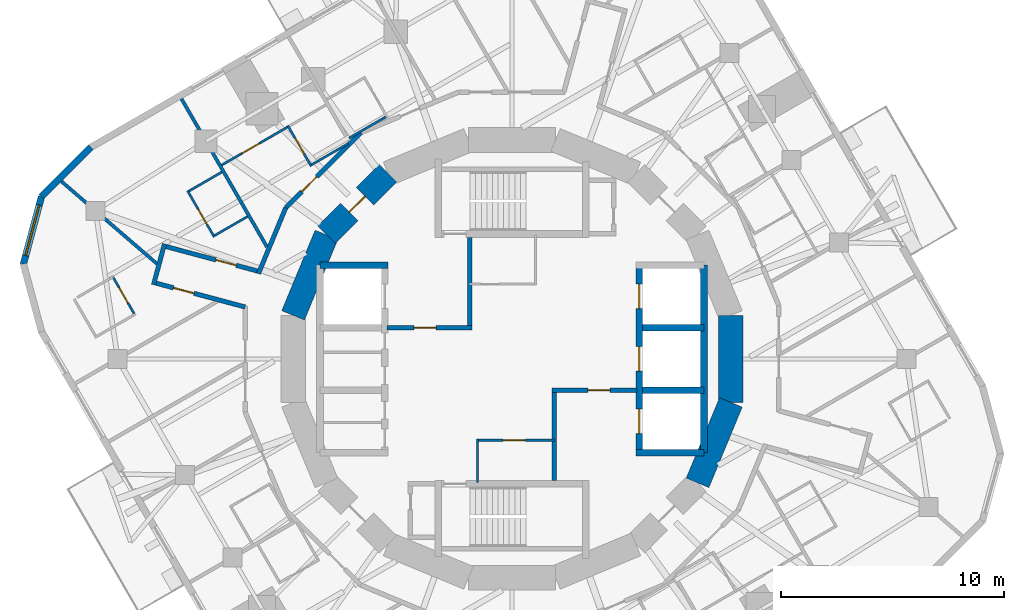
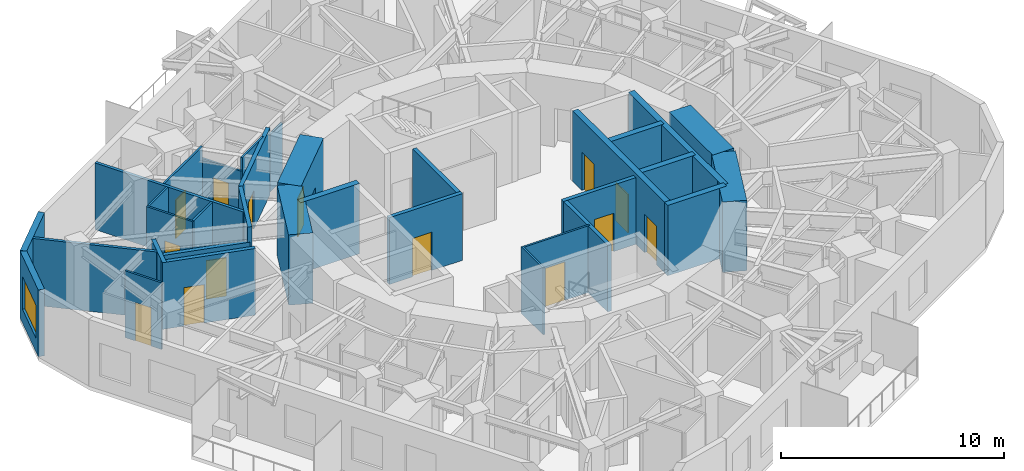
# One storey, part 6 of 11: 33 walls, 14 doors, 1 window, 15 openings.
"""IFC4 building model written with IfcOpenShell, lengths in metres."""

from ifc_helpers import new_model, si_unit, direction, frame, frame_2d, origin, place, context, subcontext, project, spatial, rectangle, extrude, material, layer, layer_set, type_object, element, fill, save


model = new_model("IFC4")

# Units and contexts
model_context = context("Model", 3, precision=1e-05, world=origin(), true_north=direction((0.0, 1.0)))
body_context = subcontext(model_context, "Body", "Model", "MODEL_VIEW")
ifc_project = project(units=[si_unit("LENGTHUNIT", "METRE"), si_unit("AREAUNIT", "SQUARE_METRE"), si_unit("VOLUMEUNIT", "CUBIC_METRE"), si_unit("PLANEANGLEUNIT", "RADIAN"), si_unit("MASSUNIT", "GRAM", prefix="KILO")], contexts=[model_context])

# Site, building, storey
site_placement = place(None, origin())
site = spatial("IfcSite", under=ifc_project, at=site_placement, CompositionType="ELEMENT")
building_placement = place(site_placement, origin())
building = spatial("IfcBuilding", under=site, at=building_placement, Name="Nakasero Lantern House", CompositionType="ELEMENT")
storey_placement = place(building_placement, frame((0.0, 0.0, 234.64990234375)))
storey = spatial("IfcBuildingStorey", under=building, at=storey_placement, Name="L57", CompositionType="ELEMENT", Elevation=234.64990234375)

# Wall, openings, doors
ifc_material_1 = material(Name="Concrete C50/60", Category="concrete")
ifc_layer_1 = layer(ifc_material_1, 0.300048828125)
ifc_layer_set_1 = layer_set([ifc_layer_1], Name="Core inner wall 300")
wall_type_1 = type_object("IfcWallType", Name="Core inner wall 300", PredefinedType="SHEAR", material=ifc_layer_set_1)
wall_1_placement = place(storey_placement, frame((5.699951171875, -4.199951171875, 0.0), z_axis=(0.0, 0.0, 1.0), x_axis=(0.0, 1.0, 0.0)))
wall_1 = element("IfcWall", 1, at=wall_1_placement, inside=storey, type_object=wall_type_1, Name="Core inner wall L57 LE", PredefinedType="SHEAR", context=body_context, shape_type="SweptSolid", body=[
    extrude(rectangle(XDim=8.39990234375, YDim=0.300048828125, at=frame_2d((4.199951171875, 0.0))), origin(), (0.0, 0.0, 1.0), 3.85009765625),
])
opening_1_placement = place(wall_1_placement, frame((0.85009765625, 0.0, 0.0)))
opening_1 = element("IfcOpeningElement", 2, at=opening_1_placement, cuts=wall_1, Name="Opening LD", PredefinedType="OPENING", context=body_context, shape_type="SweptSolid", body=[
    extrude(rectangle(XDim=1.10009765625, YDim=2.10009765625, at=frame_2d((0.550048828125, 1.050048828125))), frame((0.0, 0.169921875, 0.0), z_axis=(0.0, -1.0, 0.0), x_axis=(1.0, 0.0, 0.0)), (0.0, 0.0, 1.0), 0.340087890625),
])
opening_2_placement = place(wall_1_placement, frame((3.64990234375, 0.0, 0.0)))
opening_2 = element("IfcOpeningElement", 3, at=opening_2_placement, cuts=wall_1, Name="Opening LD", PredefinedType="OPENING", context=body_context, shape_type="SweptSolid", body=[
    extrude(rectangle(XDim=1.10009765625, YDim=2.10009765625, at=frame_2d((0.550048828125, 1.050048828125))), frame((0.0, 0.169921875, 0.0), z_axis=(0.0, -1.0, 0.0), x_axis=(1.0, 0.0, 0.0)), (0.0, 0.0, 1.0), 0.340087890625),
])
opening_3_placement = place(wall_1_placement, frame((6.449951171875, 0.0, 0.0)))
opening_3 = element("IfcOpeningElement", 4, at=opening_3_placement, cuts=wall_1, Name="Opening LD", PredefinedType="OPENING", context=body_context, shape_type="SweptSolid", body=[
    extrude(rectangle(XDim=1.10009765625, YDim=2.10009765625, at=frame_2d((0.550048828125, 1.050048828125))), frame((0.0, 0.169921875, 0.0), z_axis=(0.0, -1.0, 0.0), x_axis=(1.0, 0.0, 0.0)), (0.0, 0.0, 1.0), 0.340087890625),
])
ifc_material_2 = material(Name="Steel S355", Category="steel")
door_type_1 = type_object("IfcDoorType", Name="Lift landing door E120 1100", OperationType="SLIDING_TO_LEFT", PredefinedType="DOOR", material=ifc_material_2)
door_1_placement = place(opening_1_placement, origin())
door_1 = element("IfcDoor", 5, at=door_1_placement, inside=storey, type_object=door_type_1, Name="Lift landing door LE1", OperationType="SLIDING_TO_LEFT", OverallHeight=2.10009765625, OverallWidth=1.10009765625, PredefinedType="DOOR", context=body_context, shape_type="SweptSolid", body=[
    extrude(rectangle(XDim=1.10009765625, YDim=2.10009765625, at=frame_2d((0.550048828125, 1.050048828125))), frame((0.0, 0.02490234375, 0.0), z_axis=(0.0, -1.0, 0.0), x_axis=(1.0, 0.0, 0.0)), (0.0, 0.0, 1.0), 0.050048828125),
])
fill(opening_1, door_1)
door_2_placement = place(opening_2_placement, origin())
door_2 = element("IfcDoor", 6, at=door_2_placement, inside=storey, type_object=door_type_1, Name="Lift landing door LE2", OperationType="SLIDING_TO_LEFT", OverallHeight=2.10009765625, OverallWidth=1.10009765625, PredefinedType="DOOR", context=body_context, shape_type="SweptSolid", body=[
    extrude(rectangle(XDim=1.10009765625, YDim=2.10009765625, at=frame_2d((0.550048828125, 1.050048828125))), frame((0.0, 0.02490234375, 0.0), z_axis=(0.0, -1.0, 0.0), x_axis=(1.0, 0.0, 0.0)), (0.0, 0.0, 1.0), 0.050048828125),
])
fill(opening_2, door_2)
door_3_placement = place(opening_3_placement, origin())
door_3 = element("IfcDoor", 7, at=door_3_placement, inside=storey, type_object=door_type_1, Name="Lift landing door LE3", OperationType="SLIDING_TO_LEFT", OverallHeight=2.10009765625, OverallWidth=1.10009765625, PredefinedType="DOOR", context=body_context, shape_type="SweptSolid", body=[
    extrude(rectangle(XDim=1.10009765625, YDim=2.10009765625, at=frame_2d((0.550048828125, 1.050048828125))), frame((0.0, 0.02490234375, 0.0), z_axis=(0.0, -1.0, 0.0), x_axis=(1.0, 0.0, 0.0)), (0.0, 0.0, 1.0), 0.050048828125),
])
fill(opening_3, door_3)

# Walls
for number, where, z_axis, x_axis, name in (
    (8, (-8.60009765625, 4.199951171875, 0.0), (0.0, 0.0, 1.0), (1.0, 0.0, 0.0), "Core inner wall L57 LWN"),
    (9, (5.550048828125, -4.199951171875, 0.0), (0.0, 0.0, 1.0), (1.0, 0.0, 0.0), "Core inner wall L57 LES"),
):
    element("IfcWall", number, at=place(storey_placement, frame(where, z_axis=z_axis, x_axis=x_axis)), inside=storey, type_object=wall_type_1, Name=name, PredefinedType="SHEAR", context=body_context, shape_type="SweptSolid", body=[
        extrude(rectangle(XDim=3.050048828125, YDim=0.300048828125, at=frame_2d((1.52490234375, 0.0))), origin(), (0.0, 0.0, 1.0), 3.85009765625),
    ])
wall_2_placement = place(storey_placement, frame((8.60009765625, -4.199951171875, 0.0), z_axis=(0.0, 0.0, 1.0), x_axis=(0.0, 1.0, 0.0)))
element("IfcWall", 10, at=wall_2_placement, inside=storey, type_object=wall_type_1, Name="Core inner wall L57 LEB", PredefinedType="SHEAR", context=body_context, shape_type="SweptSolid", body=[
    extrude(rectangle(XDim=8.39990234375, YDim=0.300048828125, at=frame_2d((4.199951171875, 0.0))), origin(), (0.0, 0.0, 1.0), 3.85009765625),
])
for number, where, z_axis, x_axis, name in (
    (11, (5.85009765625, -1.39990234375, 0.0), (0.0, 0.0, 1.0), (1.0, 0.0, 0.0), "Core inner wall L57 LE1"),
    (12, (5.85009765625, 1.39990234375, 0.0), (0.0, 0.0, 1.0), (1.0, 0.0, 0.0), "Core inner wall L57 LE2"),
):
    element("IfcWall", number, at=place(storey_placement, frame(where, z_axis=z_axis, x_axis=x_axis)), inside=storey, type_object=wall_type_1, Name=name, PredefinedType="SHEAR", context=body_context, shape_type="SweptSolid", body=[
        extrude(rectangle(XDim=2.75, YDim=0.300048828125, at=frame_2d((1.375, 0.0))), origin(), (0.0, 0.0, 1.0), 3.85009765625),
    ])

# Wall, opening, door
ifc_material_3 = material(Name="Blockwork", Category="masonry")
ifc_layer_2 = layer(ifc_material_3, 0.10009765625)
ifc_layer_set_2 = layer_set([ifc_layer_2], Name="Core room wall 100")
wall_type_2 = type_object("IfcWallType", Name="Core room wall 100", PredefinedType="PARTITIONING", material=ifc_layer_set_2)
wall_3_placement = place(storey_placement, frame((-1.60009765625, -3.64990234375, 0.0), z_axis=(0.0, 0.0, 1.0), x_axis=(1.0, 0.0, 0.0)))
wall_3 = element("IfcWall", 13, at=wall_3_placement, inside=storey, type_object=wall_type_2, Name="Core room wall L57 CR-SWN", PredefinedType="PARTITIONING", context=body_context, shape_type="SweptSolid", body=[
    extrude(rectangle(XDim=3.5, YDim=0.10009765625, at=frame_2d((1.75, 0.0))), origin(), (0.0, 0.0, 1.0), 3.650146484375),
])
opening_4_placement = place(wall_3_placement, frame((1.199951171875, 0.0, 0.0)))
opening_4 = element("IfcOpeningElement", 14, at=opening_4_placement, cuts=wall_3, Name="Opening D07", PredefinedType="OPENING", context=body_context, shape_type="SweptSolid", body=[
    extrude(rectangle(XDim=1.0, YDim=2.10009765625, at=frame_2d((0.5, 1.050048828125))), frame((0.0, 0.070068359375, 0.0), z_axis=(0.0, -1.0, 0.0), x_axis=(1.0, 0.0, 0.0)), (0.0, 0.0, 1.0), 0.14013671875),
])
ifc_material_4 = material(Name="Timber C24", Category="wood")
door_type_2 = type_object("IfcDoorType", Name="Room door FD30S 1000", OperationType="SINGLE_SWING_LEFT", PredefinedType="DOOR", material=ifc_material_4)
door_4_placement = place(opening_4_placement, origin())
door_4 = element("IfcDoor", 15, at=door_4_placement, inside=storey, type_object=door_type_2, Name="Door L57 D-CR-SW", OperationType="SINGLE_SWING_LEFT", OverallHeight=2.10009765625, OverallWidth=1.0, PredefinedType="DOOR", context=body_context, shape_type="SweptSolid", body=[
    extrude(rectangle(XDim=1.0, YDim=2.10009765625, at=frame_2d((0.5, 1.050048828125))), frame((0.0, 0.02490234375, 0.0), z_axis=(0.0, -1.0, 0.0), x_axis=(1.0, 0.0, 0.0)), (0.0, 0.0, 1.0), 0.050048828125),
])
fill(opening_4, door_4)

# Wall
wall_4_placement = place(storey_placement, frame((-1.550048828125, -5.550048828125, 0.0), z_axis=(0.0, 0.0, 1.0), x_axis=(0.0, 1.0, 0.0)))
element("IfcWall", 16, at=wall_4_placement, inside=storey, type_object=wall_type_2, Name="Core room wall L57 CR-SWW", PredefinedType="PARTITIONING", context=body_context, shape_type="SweptSolid", body=[
    extrude(rectangle(XDim=1.949951171875, YDim=0.10009765625, at=frame_2d((0.97509765625, 0.0))), origin(), (0.0, 0.0, 1.0), 3.650146484375),
])

# Wall, opening, door
ifc_material_5 = material(Name="Concrete C50/60", Category="concrete")
ifc_layer_3 = layer(ifc_material_5, 1.10009765625)
ifc_layer_set_3 = layer_set([ifc_layer_3], Name="Core wall 1100")
wall_type_3 = type_object("IfcWallType", Name="Core wall 1100", PredefinedType="SHEAR", material=ifc_layer_set_3)
wall_5_placement = place(storey_placement, frame((-5.5556640625, 8.314697265625, 0.0), z_axis=(0.0, 0.0, 1.0), x_axis=(-0.707106781187, -0.707106781187, 0.0)))
wall_5 = element("IfcWall", 17, at=wall_5_placement, inside=storey, type_object=wall_type_3, Name="Core wall L57 facet 6", PredefinedType="SHEAR", context=body_context, shape_type="SweptSolid", body=[
    extrude(rectangle(XDim=3.90185546875, YDim=1.10009765625, at=frame_2d((1.950927734375, 0.0))), origin(), (0.0, 0.0, 1.0), 3.85009765625),
])
opening_5_placement = place(wall_5_placement, frame((1.450927734375, 0.0, 0.0)))
opening_5 = element("IfcOpeningElement", 18, at=opening_5_placement, cuts=wall_5, Name="Opening D05", PredefinedType="OPENING", context=body_context, shape_type="SweptSolid", body=[
    extrude(rectangle(XDim=1.0, YDim=2.10009765625, at=frame_2d((0.5, 1.050048828125))), frame((0.0, 0.570068359375, 0.0), z_axis=(0.0, -1.0, 0.0), x_axis=(1.0, 0.0, 0.0)), (0.0, 0.0, 1.0), 1.14013671875),
])
ifc_material_6 = material(Name="Timber C24", Category="wood")
door_type_3 = type_object("IfcDoorType", Name="Core door FD60S 1000", OperationType="SINGLE_SWING_LEFT", PredefinedType="DOOR", material=ifc_material_6)
door_5_placement = place(opening_5_placement, origin())
door_5 = element("IfcDoor", 19, at=door_5_placement, inside=storey, type_object=door_type_3, Name="Door L57 D-CORE06", OperationType="SINGLE_SWING_LEFT", OverallHeight=2.10009765625, OverallWidth=1.0, PredefinedType="DOOR", context=body_context, shape_type="SweptSolid", body=[
    extrude(rectangle(XDim=1.0, YDim=2.10009765625, at=frame_2d((0.5, 1.050048828125))), frame((0.0, 0.02490234375, 0.0), z_axis=(0.0, -1.0, 0.0), x_axis=(1.0, 0.0, 0.0)), (0.0, 0.0, 1.0), 0.050048828125),
])
fill(opening_5, door_5)

# Walls
for number, where, z_axis, x_axis, name in (
    (20, (-8.314697265625, 5.5556640625, 0.0), (0.0, 0.0, 1.0), (-0.382690736062, -0.923876507187, 0.0), "Core wall L57 facet 7"),
    (21, (8.314697265625, -5.5556640625, 0.0), (0.0, 0.0, 1.0), (0.382690736062, 0.923876507187, 0.0), "Core wall L57 facet 15"),
    (22, (9.807861328125, -1.950927734375, 0.0), (0.0, 0.0, 1.0), (0.0, 1.0, 0.0), "Core wall L57 facet 16"),
):
    element("IfcWall", number, at=place(storey_placement, frame(where, z_axis=z_axis, x_axis=x_axis)), inside=storey, type_object=wall_type_3, Name=name, PredefinedType="SHEAR", context=body_context, shape_type="SweptSolid", body=[
        extrude(rectangle(XDim=3.90185546875, YDim=1.10009765625, at=frame_2d((1.950927734375, 0.0))), origin(), (0.0, 0.0, 1.0), 3.85009765625),
    ])
ifc_material_7 = material(Name="Blockwork", Category="masonry")
ifc_layer_4 = layer(ifc_material_7, 0.199951171875)
ifc_layer_set_4 = layer_set([ifc_layer_4], Name="Corridor wall 200")
wall_type_4 = type_object("IfcWallType", Name="Corridor wall 200", PredefinedType="PARTITIONING", material=ifc_layer_set_4)
wall_6_placement = place(storey_placement, frame((-11.360595703125, 3.820556640625, 0.0), z_axis=(0.0, 0.0, 1.0), x_axis=(0.382662097458, 0.923888369431, 0.0)))
element("IfcWall", 23, at=wall_6_placement, inside=storey, type_object=wall_type_4, Name="Corridor wall L57 RC09b", PredefinedType="PARTITIONING", context=body_context, shape_type="SweptSolid", body=[
    extrude(rectangle(XDim=3.1962890625, YDim=0.199951171875, at=frame_2d((1.59814453125, 0.0))), origin(), (0.0, 0.0, 1.0), 3.650146484375),
])

# Wall, opening, door
wall_7_placement = place(storey_placement, frame((-10.137451171875, 6.773681640625, 0.0), z_axis=(0.0, 0.0, 1.0), x_axis=(0.707106781187, 0.707106781187, 0.0)))
wall_7 = element("IfcWall", 24, at=wall_7_placement, inside=storey, type_object=wall_type_4, Name="Corridor wall L57 RC10a", PredefinedType="PARTITIONING", context=body_context, shape_type="SweptSolid", body=[
    extrude(rectangle(XDim=4.757080078125, YDim=0.199951171875, at=frame_2d((2.37841796875, 0.0))), origin(), (0.0, 0.0, 1.0), 3.650146484375),
])
opening_6_placement = place(wall_7_placement, frame((1.02001953125, 0.0, 0.0)))
opening_6 = element("IfcOpeningElement", 25, at=opening_6_placement, cuts=wall_7, Name="Opening D01", PredefinedType="OPENING", context=body_context, shape_type="SweptSolid", body=[
    extrude(rectangle(XDim=0.949951171875, YDim=2.10009765625, at=frame_2d((0.47509765625, 1.050048828125))), frame((0.0, 0.119873046875, 0.0), z_axis=(0.0, -1.0, 0.0), x_axis=(1.0, 0.0, 0.0)), (0.0, 0.0, 1.0), 0.239990234375),
])
ifc_material_8 = material(Name="Timber C24", Category="wood")
door_type_4 = type_object("IfcDoorType", Name="Bedroom door FD30S 950", OperationType="SINGLE_SWING_LEFT", PredefinedType="DOOR", material=ifc_material_8)
door_6_placement = place(opening_6_placement, origin())
door_6 = element("IfcDoor", 26, at=door_6_placement, inside=storey, type_object=door_type_4, Name="Door L57 D1-04", OperationType="SINGLE_SWING_LEFT", OverallHeight=2.10009765625, OverallWidth=0.949951171875, PredefinedType="DOOR", context=body_context, shape_type="SweptSolid", body=[
    extrude(rectangle(XDim=0.949951171875, YDim=2.10009765625, at=frame_2d((0.47509765625, 1.050048828125))), frame((0.0, 0.02490234375, 0.0), z_axis=(0.0, -1.0, 0.0), x_axis=(1.0, 0.0, 0.0)), (0.0, 0.0, 1.0), 0.050048828125),
])
fill(opening_6, door_6)

wall_8_placement = place(storey_placement, frame((-11.322021484375, 3.913818359375, 0.0), z_axis=(0.0, 0.0, 1.0), x_axis=(-0.965936973474, 0.258777439659, 0.0)))
wall_8 = element("IfcWall", 27, at=wall_8_placement, inside=storey, type_object=wall_type_4, Name="Corridor wall L57 SP1a", PredefinedType="PARTITIONING", context=body_context, shape_type="SweptSolid", body=[
    extrude(rectangle(XDim=4.524658203125, YDim=0.199951171875, at=frame_2d((2.26220703125, 0.0))), origin(), (0.0, 0.0, 1.0), 2.809326171875),
])
opening_7_placement = place(wall_8_placement, frame((1.070068359375, 0.0, 0.0)))
opening_7 = element("IfcOpeningElement", 28, at=opening_7_placement, cuts=wall_8, Name="Opening D01", PredefinedType="OPENING", context=body_context, shape_type="SweptSolid", body=[
    extrude(rectangle(XDim=0.949951171875, YDim=2.10009765625, at=frame_2d((0.47509765625, 1.050048828125))), frame((0.0, 0.119873046875, 0.0), z_axis=(0.0, -1.0, 0.0), x_axis=(1.0, 0.0, 0.0)), (0.0, 0.0, 1.0), 0.239990234375),
])
door_7_placement = place(opening_7_placement, origin())
door_7 = element("IfcDoor", 29, at=door_7_placement, inside=storey, type_object=door_type_4, Name="Door L57 D1-06", OperationType="SINGLE_SWING_LEFT", OverallHeight=2.10009765625, OverallWidth=0.949951171875, PredefinedType="DOOR", context=body_context, shape_type="SweptSolid", body=[
    extrude(rectangle(XDim=0.949951171875, YDim=2.10009765625, at=frame_2d((0.47509765625, 1.050048828125))), frame((0.0, 0.02490234375, 0.0), z_axis=(0.0, -1.0, 0.0), x_axis=(1.0, 0.0, 0.0)), (0.0, 0.0, 1.0), 0.050048828125),
])
fill(opening_7, door_7)

wall_9_placement = place(storey_placement, frame((-11.957763671875, 2.32421875, 0.0), z_axis=(0.0, 0.0, 1.0), x_axis=(-0.965938975236, 0.258769967576, 0.0)))
wall_9 = element("IfcWall", 30, at=wall_9_placement, inside=storey, type_object=wall_type_4, Name="Corridor wall L57 SP1b", PredefinedType="PARTITIONING", context=body_context, shape_type="SweptSolid", body=[
    extrude(rectangle(XDim=4.322021484375, YDim=0.199951171875, at=frame_2d((2.1611328125, 0.0))), origin(), (0.0, 0.0, 1.0), 3.650146484375),
])
opening_8_placement = place(wall_9_placement, frame((2.3701171875, 0.0, 0.0)))
opening_8 = element("IfcOpeningElement", 31, at=opening_8_placement, cuts=wall_9, Name="Opening D01", PredefinedType="OPENING", context=body_context, shape_type="SweptSolid", body=[
    extrude(rectangle(XDim=0.949951171875, YDim=2.10009765625, at=frame_2d((0.47509765625, 1.050048828125))), frame((0.0, 0.119873046875, 0.0), z_axis=(0.0, -1.0, 0.0), x_axis=(1.0, 0.0, 0.0)), (0.0, 0.0, 1.0), 0.239990234375),
])
door_8_placement = place(opening_8_placement, origin())
door_8 = element("IfcDoor", 32, at=door_8_placement, inside=storey, type_object=door_type_4, Name="Door L57 D2-00", OperationType="SINGLE_SWING_RIGHT", OverallHeight=2.10009765625, OverallWidth=0.949951171875, PredefinedType="DOOR", context=body_context, shape_type="SweptSolid", body=[
    extrude(rectangle(XDim=0.949951171875, YDim=2.10009765625, at=frame_2d((0.47509765625, 1.050048828125))), frame((0.0, 0.02490234375, 0.0), z_axis=(0.0, -1.0, 0.0), x_axis=(1.0, 0.0, 0.0)), (0.0, 0.0, 1.0), 0.050048828125),
])
fill(opening_8, door_8)

# Walls
wall_10_placement = place(storey_placement, frame((-15.570068359375, 5.155517578125, 0.0), z_axis=(0.0, 0.0, 1.0), x_axis=(-0.258798174346, -0.96593141835, 0.0)))
element("IfcWall", 33, at=wall_10_placement, inside=storey, type_object=wall_type_4, Name="Corridor wall L57 SP1e", PredefinedType="PARTITIONING", context=body_context, shape_type="SweptSolid", body=[
    extrude(rectangle(XDim=1.89990234375, YDim=0.199951171875, at=frame_2d((0.949951171875, 0.0))), origin(), (0.0, 0.0, 1.0), 3.650146484375),
])
ifc_material_9 = material(Name="Blockwork", Category="masonry")
ifc_layer_5 = layer(ifc_material_9, 0.10009765625)
ifc_layer_set_5 = layer_set([ifc_layer_5], Name="En-suite wall 100")
wall_type_5 = type_object("IfcWallType", Name="En-suite wall 100", PredefinedType="PARTITIONING", material=ifc_layer_set_5)
wall_11_placement = place(storey_placement, frame((-5.655029296875, 10.843017578125, 0.0), z_axis=(0.0, 0.0, 1.0), x_axis=(-0.866044365799, -0.499967155389, 0.0)))
element("IfcWall", 34, at=wall_11_placement, inside=storey, type_object=wall_type_5, Name="En-suite wall L57 EI1-03", PredefinedType="PARTITIONING", context=body_context, shape_type="SweptSolid", body=[
    extrude(rectangle(XDim=1.900146484375, YDim=0.10009765625, at=frame_2d((0.9501953125, 0.0))), origin(), (0.0, 0.0, 1.0), 3.11328125),
])

# Wall, opening, door
wall_12_placement = place(storey_placement, frame((-8.997314453125, 8.632080078125, 0.0), z_axis=(0.0, 0.0, 1.0), x_axis=(-0.499977374825, 0.866038466041, 0.0)))
wall_12 = element("IfcWall", 35, at=wall_12_placement, inside=storey, type_object=wall_type_5, Name="En-suite wall L57 ES1-04", PredefinedType="PARTITIONING", context=body_context, shape_type="SweptSolid", body=[
    extrude(rectangle(XDim=2.10009765625, YDim=0.10009765625, at=frame_2d((1.050048828125, 0.0))), origin(), (0.0, 0.0, 1.0), 2.966552734375),
])
opening_9_placement = place(wall_12_placement, frame((0.64990234375, 0.0, 0.0)))
opening_9 = element("IfcOpeningElement", 36, at=opening_9_placement, cuts=wall_12, Name="Opening D02", PredefinedType="OPENING", context=body_context, shape_type="SweptSolid", body=[
    extrude(rectangle(XDim=0.800048828125, YDim=2.10009765625, at=frame_2d((0.39990234375, 1.050048828125))), frame((0.0, 0.070068359375, 0.0), z_axis=(0.0, -1.0, 0.0), x_axis=(1.0, 0.0, 0.0)), (0.0, 0.0, 1.0), 0.14013671875),
])
ifc_material_10 = material(Name="Timber C24", Category="wood")
door_type_5 = type_object("IfcDoorType", Name="En-suite door 800", OperationType="SINGLE_SWING_RIGHT", PredefinedType="DOOR", material=ifc_material_10)
door_9_placement = place(opening_9_placement, origin())
door_9 = element("IfcDoor", 37, at=door_9_placement, inside=storey, type_object=door_type_5, Name="Door L57 DE1-04", OperationType="SINGLE_SWING_RIGHT", OverallHeight=2.10009765625, OverallWidth=0.800048828125, PredefinedType="DOOR", context=body_context, shape_type="SweptSolid", body=[
    extrude(rectangle(XDim=0.800048828125, YDim=2.10009765625, at=frame_2d((0.39990234375, 1.050048828125))), frame((0.0, 0.02490234375, 0.0), z_axis=(0.0, -1.0, 0.0), x_axis=(1.0, 0.0, 0.0)), (0.0, 0.0, 1.0), 0.050048828125),
])
fill(opening_9, door_9)

# Wall
wall_13_placement = place(storey_placement, frame((-7.333740234375, 9.650390625, 0.0), z_axis=(0.0, 0.0, 1.0), x_axis=(-0.86601224135, -0.500022797313, 0.0)))
element("IfcWall", 38, at=wall_13_placement, inside=storey, type_object=wall_type_5, Name="En-suite wall L57 EI1-04", PredefinedType="PARTITIONING", context=body_context, shape_type="SweptSolid", body=[
    extrude(rectangle(XDim=1.89990234375, YDim=0.10009765625, at=frame_2d((0.949951171875, 0.0))), origin(), (0.0, 0.0, 1.0), 3.650146484375),
])

# Wall, opening, door
wall_14_placement = place(storey_placement, frame((-13.342041015625, 5.46044921875, 0.0), z_axis=(0.0, 0.0, 1.0), x_axis=(-0.500033551112, 0.866006032174, 0.0)))
wall_14 = element("IfcWall", 39, at=wall_14_placement, inside=storey, type_object=wall_type_5, Name="En-suite wall L57 ES1-06", PredefinedType="PARTITIONING", context=body_context, shape_type="SweptSolid", body=[
    extrude(rectangle(XDim=2.400146484375, YDim=0.10009765625, at=frame_2d((1.2001953125, 0.0))), origin(), (0.0, 0.0, 1.0), 3.650146484375),
])
opening_10_placement = place(wall_14_placement, frame((0.64990234375, 0.0, 0.0)))
opening_10 = element("IfcOpeningElement", 40, at=opening_10_placement, cuts=wall_14, Name="Opening D02", PredefinedType="OPENING", context=body_context, shape_type="SweptSolid", body=[
    extrude(rectangle(XDim=0.800048828125, YDim=2.10009765625, at=frame_2d((0.39990234375, 1.050048828125))), frame((0.0, 0.070068359375, 0.0), z_axis=(0.0, -1.0, 0.0), x_axis=(1.0, 0.0, 0.0)), (0.0, 0.0, 1.0), 0.14013671875),
])
door_10_placement = place(opening_10_placement, origin())
door_10 = element("IfcDoor", 41, at=door_10_placement, inside=storey, type_object=door_type_5, Name="Door L57 DE1-06", OperationType="SINGLE_SWING_LEFT", OverallHeight=2.10009765625, OverallWidth=0.800048828125, PredefinedType="DOOR", context=body_context, shape_type="SweptSolid", body=[
    extrude(rectangle(XDim=0.800048828125, YDim=2.10009765625, at=frame_2d((0.39990234375, 1.050048828125))), frame((0.0, 0.02490234375, 0.0), z_axis=(0.0, -1.0, 0.0), x_axis=(1.0, 0.0, 0.0)), (0.0, 0.0, 1.0), 0.050048828125),
])
fill(opening_10, door_10)

# Walls
for number, where, z_axis, x_axis, name in (
    (42, (-13.001708984375, 8.37060546875, 0.0), (0.0, 0.0, 1.0), (-0.86605165483, -0.499954529098, 0.0), "En-suite wall L57 EE1-06"),
    (43, (-11.8515625, 6.37890625, 0.0), (0.0, 0.0, 1.0), (-0.865989465428, -0.500062241894, 0.0), "En-suite wall L57 EI1-06"),
):
    element("IfcWall", number, at=place(storey_placement, frame(where, z_axis=z_axis, x_axis=x_axis)), inside=storey, type_object=wall_type_5, Name=name, PredefinedType="PARTITIONING", context=body_context, shape_type="SweptSolid", body=[
        extrude(rectangle(XDim=1.699951171875, YDim=0.10009765625, at=frame_2d((0.85009765625, 0.0))), origin(), (0.0, 0.0, 1.0), 3.650146484375),
    ])

# Wall, opening, door
wall_15_placement = place(storey_placement, frame((-17.8837890625, 3.675537109375, 0.0), z_axis=(0.0, 0.0, 1.0), x_axis=(0.499967155389, -0.866044365799, 0.0)))
wall_15 = element("IfcWall", 44, at=wall_15_placement, inside=storey, type_object=wall_type_5, Name="En-suite wall L57 EI2-00", PredefinedType="PARTITIONING", context=body_context, shape_type="SweptSolid", body=[
    extrude(rectangle(XDim=1.900146484375, YDim=0.10009765625, at=frame_2d((0.9501953125, 0.0))), origin(), (0.0, 0.0, 1.0), 3.650146484375),
])
opening_11_placement = place(wall_15_placement, frame((0.550048828125, 0.0, 0.0)))
opening_11 = element("IfcOpeningElement", 45, at=opening_11_placement, cuts=wall_15, Name="Opening D02", PredefinedType="OPENING", context=body_context, shape_type="SweptSolid", body=[
    extrude(rectangle(XDim=0.800048828125, YDim=2.10009765625, at=frame_2d((0.39990234375, 1.050048828125))), frame((0.0, 0.070068359375, 0.0), z_axis=(0.0, -1.0, 0.0), x_axis=(1.0, 0.0, 0.0)), (0.0, 0.0, 1.0), 0.14013671875),
])
door_11_placement = place(opening_11_placement, origin())
door_11 = element("IfcDoor", 46, at=door_11_placement, inside=storey, type_object=door_type_5, Name="Door L57 DE2-00", OperationType="SINGLE_SWING_RIGHT", OverallHeight=2.10009765625, OverallWidth=0.800048828125, PredefinedType="DOOR", context=body_context, shape_type="SweptSolid", body=[
    extrude(rectangle(XDim=0.800048828125, YDim=2.10009765625, at=frame_2d((0.39990234375, 1.050048828125))), frame((0.0, 0.02490234375, 0.0), z_axis=(0.0, -1.0, 0.0), x_axis=(1.0, 0.0, 0.0)), (0.0, 0.0, 1.0), 0.050048828125),
])
fill(opening_11, door_11)

wall_16_placement = place(storey_placement, frame((-10.065673828125, 10.382568359375, 0.0), z_axis=(0.0, 0.0, 1.0), x_axis=(-0.866024081565, -0.500002290144, 0.0)))
wall_16 = element("IfcWall", 47, at=wall_16_placement, inside=storey, type_object=wall_type_5, Name="En-suite wall L57 EL1-04", PredefinedType="PARTITIONING", context=body_context, shape_type="SweptSolid", body=[
    extrude(rectangle(XDim=3.3984375, YDim=0.10009765625, at=frame_2d((1.69921875, 0.0))), origin(), (0.0, 0.0, 1.0), 3.650146484375),
])
opening_12_placement = place(wall_16_placement, frame((1.449951171875, 0.0, 0.0)))
opening_12 = element("IfcOpeningElement", 48, at=opening_12_placement, cuts=wall_16, Name="Opening D17", PredefinedType="OPENING", context=body_context, shape_type="SweptSolid", body=[
    extrude(rectangle(XDim=0.89990234375, YDim=2.10009765625, at=frame_2d((0.449951171875, 1.050048828125))), frame((0.0, 0.070068359375, 0.0), z_axis=(0.0, -1.0, 0.0), x_axis=(1.0, 0.0, 0.0)), (0.0, 0.0, 1.0), 0.14013671875),
])
ifc_material_11 = material(Name="Timber C24", Category="wood")
door_type_6 = type_object("IfcDoorType", Name="Bedroom door FD30S 900", OperationType="SINGLE_SWING_LEFT", PredefinedType="DOOR", material=ifc_material_11)
door_12_placement = place(opening_12_placement, origin())
door_12 = element("IfcDoor", 49, at=door_12_placement, inside=storey, type_object=door_type_6, Name="Door L57 DL1-04", OperationType="SINGLE_SWING_RIGHT", OverallHeight=2.10009765625, OverallWidth=0.89990234375, PredefinedType="DOOR", context=body_context, shape_type="SweptSolid", body=[
    extrude(rectangle(XDim=0.89990234375, YDim=2.10009765625, at=frame_2d((0.449951171875, 1.050048828125))), frame((0.0, 0.02490234375, 0.0), z_axis=(0.0, -1.0, 0.0), x_axis=(1.0, 0.0, 0.0)), (0.0, 0.0, 1.0), 0.050048828125),
])
fill(opening_12, door_12)

# Wall
ifc_material_12 = material(Name="Aluminium rainscreen on blockwork", Category="masonry")
ifc_layer_6 = layer(ifc_material_12, 0.300048828125)
ifc_layer_set_6 = layer_set([ifc_layer_6], Name="Facade wall 300")
wall_type_6 = type_object("IfcWallType", Name="Facade wall 300", PredefinedType="SOLIDWALL", material=ifc_layer_set_6)
wall_17_placement = place(storey_placement, frame((-18.870849609375, 9.4853515625, 0.0), z_axis=(0.0, 0.0, 1.0), x_axis=(-0.707145758492, -0.707067801733, 0.0)))
element("IfcWall", 50, at=wall_17_placement, inside=storey, type_object=wall_type_6, Name="Facade wall L57 FW1C1", PredefinedType="SOLIDWALL", context=body_context, shape_type="SweptSolid", body=[
    extrude(rectangle(XDim=3.1318359375, YDim=0.300048828125, at=frame_2d((1.56591796875, 0.0))), origin(), (0.0, 0.0, 1.0), 3.650146484375),
])

# Wall, opening, window
wall_18_placement = place(storey_placement, frame((-21.08544921875, 7.27099609375, 0.0), z_axis=(0.0, 0.0, 1.0), x_axis=(-0.258807521156, -0.965928914048, 0.0)))
wall_18 = element("IfcWall", 51, at=wall_18_placement, inside=storey, type_object=wall_type_6, Name="Facade wall L57 FW1C2", PredefinedType="SOLIDWALL", context=body_context, shape_type="SweptSolid", body=[
    extrude(rectangle(XDim=3.1318359375, YDim=0.300048828125, at=frame_2d((1.56591796875, 0.0))), origin(), (0.0, 0.0, 1.0), 3.650146484375),
])
opening_13_placement = place(wall_18_placement, frame((0.39990234375, 0.0, 0.75)))
opening_13 = element("IfcOpeningElement", 52, at=opening_13_placement, cuts=wall_18, Name="Opening W223", PredefinedType="OPENING", context=body_context, shape_type="SweptSolid", body=[
    extrude(rectangle(XDim=2.33203125, YDim=1.800048828125, at=frame_2d((1.166015625, 0.89990234375))), frame((0.0, 0.169921875, 0.0), z_axis=(0.0, -1.0, 0.0), x_axis=(1.0, 0.0, 0.0)), (0.0, 0.0, 1.0), 0.340087890625),
])
ifc_material_13 = material(Name="Aluminium 6063-T6 and glass", Category="aluminium")
window_type = type_object("IfcWindowType", Name="Corner window 2332x1800", PartitioningType="SINGLE_PANEL", PredefinedType="WINDOW", material=ifc_material_13)
window_placement = place(opening_13_placement, origin())
window = element("IfcWindow", 53, at=window_placement, inside=storey, type_object=window_type, Name="Window L57 WC1", OverallHeight=1.800048828125, OverallWidth=2.33203125, PartitioningType="SINGLE_PANEL", PredefinedType="WINDOW", context=body_context, shape_type="SweptSolid", body=[
    extrude(rectangle(XDim=2.33203125, YDim=1.800048828125, at=frame_2d((1.166015625, 0.89990234375))), frame((0.0, 0.030029296875, 0.0), z_axis=(0.0, -1.0, 0.0), x_axis=(1.0, 0.0, 0.0)), (0.0, 0.0, 1.0), 0.06005859375),
])
fill(opening_13, window)

# Wall, opening, door
ifc_material_14 = material(Name="Blockwork", Category="masonry")
ifc_layer_7 = layer(ifc_material_14, 0.199951171875)
ifc_layer_set_7 = layer_set([ifc_layer_7], Name="Fire lobby wall 200")
wall_type_7 = type_object("IfcWallType", Name="Fire lobby wall 200", PredefinedType="PARTITIONING", material=ifc_layer_set_7)
wall_19_placement = place(storey_placement, frame((-5.60009765625, 1.39990234375, 0.0), z_axis=(0.0, 0.0, 1.0), x_axis=(1.0, 0.0, 0.0)))
wall_19 = element("IfcWall", 54, at=wall_19_placement, inside=storey, type_object=wall_type_7, Name="Fire lobby wall L57 W-FL1S", PredefinedType="PARTITIONING", context=body_context, shape_type="SweptSolid", body=[
    extrude(rectangle(XDim=3.800048828125, YDim=0.199951171875, at=frame_2d((1.89990234375, 0.0))), origin(), (0.0, 0.0, 1.0), 3.650146484375),
])
opening_14_placement = place(wall_19_placement, frame((1.199951171875, 0.0, 0.0)))
opening_14 = element("IfcOpeningElement", 55, at=opening_14_placement, cuts=wall_19, Name="Opening D05", PredefinedType="OPENING", context=body_context, shape_type="SweptSolid", body=[
    extrude(rectangle(XDim=1.0, YDim=2.10009765625, at=frame_2d((0.5, 1.050048828125))), frame((0.0, 0.119873046875, 0.0), z_axis=(0.0, -1.0, 0.0), x_axis=(1.0, 0.0, 0.0)), (0.0, 0.0, 1.0), 0.239990234375),
])
door_13_placement = place(opening_14_placement, origin())
door_13 = element("IfcDoor", 56, at=door_13_placement, inside=storey, type_object=door_type_3, Name="Door L57 D-FL1", OperationType="SINGLE_SWING_LEFT", OverallHeight=2.10009765625, OverallWidth=1.0, PredefinedType="DOOR", context=body_context, shape_type="SweptSolid", body=[
    extrude(rectangle(XDim=1.0, YDim=2.10009765625, at=frame_2d((0.5, 1.050048828125))), frame((0.0, 0.02490234375, 0.0), z_axis=(0.0, -1.0, 0.0), x_axis=(1.0, 0.0, 0.0)), (0.0, 0.0, 1.0), 0.050048828125),
])
fill(opening_14, door_13)

# Wall
wall_20_placement = place(storey_placement, frame((-1.89990234375, 1.5, 0.0), z_axis=(0.0, 0.0, 1.0), x_axis=(0.0, 1.0, 0.0)))
element("IfcWall", 57, at=wall_20_placement, inside=storey, type_object=wall_type_7, Name="Fire lobby wall L57 W-FL1E", PredefinedType="PARTITIONING", context=body_context, shape_type="SweptSolid", body=[
    extrude(rectangle(XDim=3.949951171875, YDim=0.199951171875, at=frame_2d((1.97509765625, 0.0))), origin(), (0.0, 0.0, 1.0), 3.650146484375),
])

# Wall, opening, door
wall_21_placement = place(storey_placement, frame((5.60009765625, -1.39990234375, 0.0), z_axis=(0.0, 0.0, 1.0), x_axis=(-1.0, 0.0, 0.0)))
wall_21 = element("IfcWall", 58, at=wall_21_placement, inside=storey, type_object=wall_type_7, Name="Fire lobby wall L57 W-FL2N", PredefinedType="PARTITIONING", context=body_context, shape_type="SweptSolid", body=[
    extrude(rectangle(XDim=3.800048828125, YDim=0.199951171875, at=frame_2d((1.89990234375, 0.0))), origin(), (0.0, 0.0, 1.0), 3.650146484375),
])
opening_15_placement = place(wall_21_placement, frame((1.199951171875, 0.0, 0.0)))
opening_15 = element("IfcOpeningElement", 59, at=opening_15_placement, cuts=wall_21, Name="Opening D05", PredefinedType="OPENING", context=body_context, shape_type="SweptSolid", body=[
    extrude(rectangle(XDim=1.0, YDim=2.10009765625, at=frame_2d((0.5, 1.050048828125))), frame((0.0, 0.119873046875, 0.0), z_axis=(0.0, -1.0, 0.0), x_axis=(1.0, 0.0, 0.0)), (0.0, 0.0, 1.0), 0.239990234375),
])
door_14_placement = place(opening_15_placement, origin())
door_14 = element("IfcDoor", 60, at=door_14_placement, inside=storey, type_object=door_type_3, Name="Door L57 D-FL2", OperationType="SINGLE_SWING_LEFT", OverallHeight=2.10009765625, OverallWidth=1.0, PredefinedType="DOOR", context=body_context, shape_type="SweptSolid", body=[
    extrude(rectangle(XDim=1.0, YDim=2.10009765625, at=frame_2d((0.5, 1.050048828125))), frame((0.0, 0.02490234375, 0.0), z_axis=(0.0, -1.0, 0.0), x_axis=(1.0, 0.0, 0.0)), (0.0, 0.0, 1.0), 0.050048828125),
])
fill(opening_15, door_14)

# Walls
wall_22_placement = place(storey_placement, frame((1.89990234375, -1.5, 0.0), z_axis=(0.0, 0.0, 1.0), x_axis=(0.0, -1.0, 0.0)))
element("IfcWall", 61, at=wall_22_placement, inside=storey, type_object=wall_type_7, Name="Fire lobby wall L57 W-FL2W", PredefinedType="PARTITIONING", context=body_context, shape_type="SweptSolid", body=[
    extrude(rectangle(XDim=3.949951171875, YDim=0.199951171875, at=frame_2d((1.97509765625, 0.0))), origin(), (0.0, 0.0, 1.0), 3.650146484375),
])
ifc_material_15 = material(Name="Blockwork", Category="masonry")
ifc_layer_8 = layer(ifc_material_15, 0.14990234375)
ifc_layer_set_8 = layer_set([ifc_layer_8], Name="Party wall 150")
wall_type_8 = type_object("IfcWallType", Name="Party wall 150", PredefinedType="PARTITIONING", material=ifc_layer_set_8)
wall_23_placement = place(storey_placement, frame((-10.9755859375, 5.011474609375, 0.0), z_axis=(0.0, 0.0, 1.0), x_axis=(-0.499985976588, 0.866033500054, 0.0)))
element("IfcWall", 62, at=wall_23_placement, inside=storey, type_object=wall_type_8, Name="Party wall L57 PW1-06", PredefinedType="PARTITIONING", context=body_context, shape_type="SweptSolid", body=[
    extrude(rectangle(XDim=7.672119140625, YDim=0.14990234375, at=frame_2d((3.8359375, 0.0))), origin(), (0.0, 0.0, 1.0), 3.650146484375),
])
wall_24_placement = place(storey_placement, frame((-15.91259765625, 4.263671875, 0.0), z_axis=(0.0, 0.0, 1.0), x_axis=(-0.75716427978, 0.653224504612, 0.0)))
element("IfcWall", 63, at=wall_24_placement, inside=storey, type_object=wall_type_8, Name="Party wall L57 PW2-00", PredefinedType="PARTITIONING", context=body_context, shape_type="SweptSolid", body=[
    extrude(rectangle(XDim=5.644287109375, YDim=0.14990234375, at=frame_2d((2.822265625, 0.0))), origin(), (0.0, 0.0, 1.0), 3.650146484375),
])

save(model, "model.ifc")
